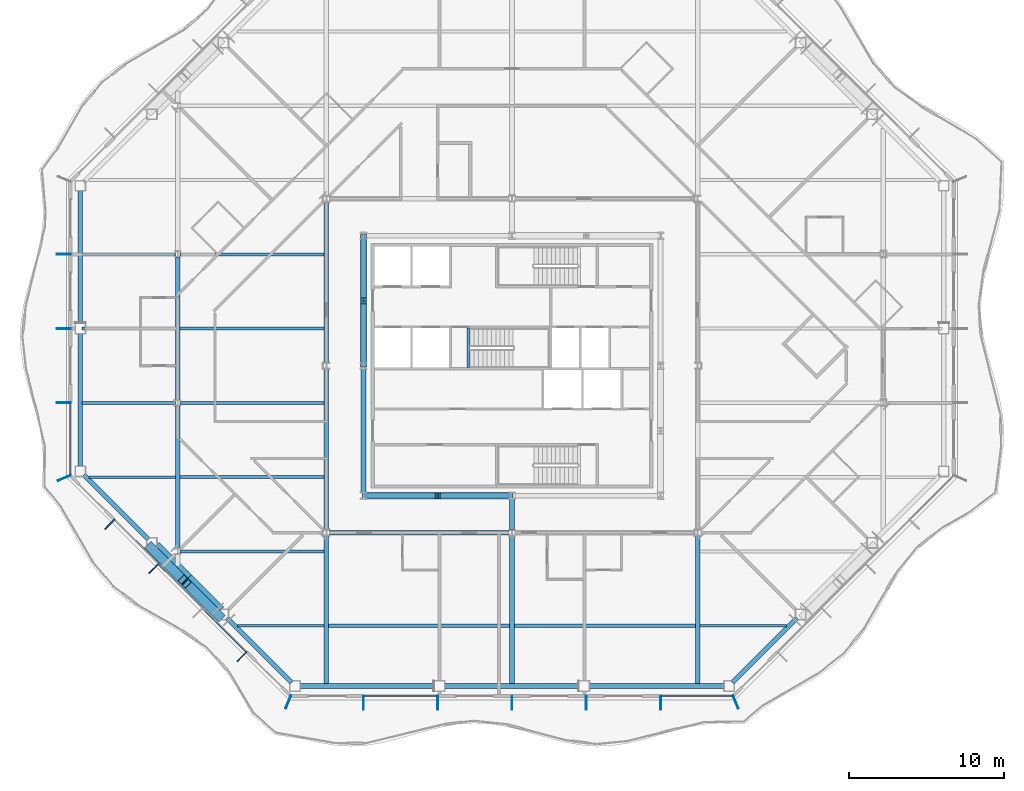
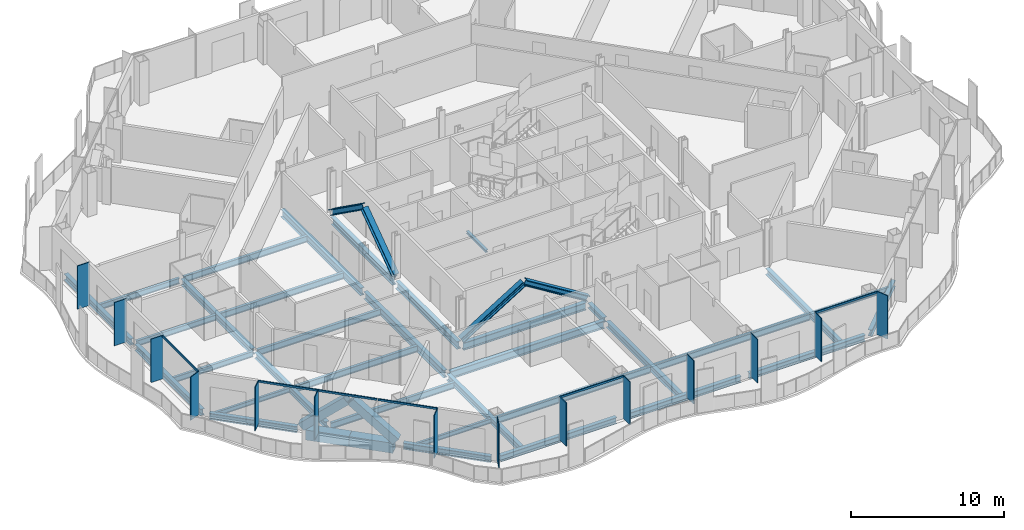
# One storey, part 3 of 21: 36 beams, 26 members, 4 elements without a shape of their own.
"""IFC4 building model written with IfcOpenShell, lengths in metres."""

import ifcopenshell
import ifcopenshell.guid

model = None  # the IFC model being written
_history = None  # IfcOwnerHistory: only IFC2X3 demands one
_inside = {}  # id of a spatial element -> (the spatial element, [elements in it])
_under = {}  # id of a project, library or spatial element -> (it, [spatial elements below it])
_declared = {}  # id of a project -> (the project, [libraries it declares])
_typed = {}  # id of a type object -> (the type object, [elements of that type])
_made_of = {}  # id of a material, layer set ... -> (it, [elements and type objects made of it])


def new_model(schema):
    """Start an empty IFC model of exactly this schema.

    Asked for "IFC4X3", IfcOpenShell would pick the latest addendum, in which some entities
    have other attributes; the version numbers below select the first issue.
    IFC2X3 requires an IfcOwnerHistory on every rooted entity: one is made here for all.
    """
    global model, _history
    if schema == "IFC4X3":
        model = ifcopenshell.file(schema_version=(4, 3, 0, 0))
    else:
        model = ifcopenshell.file(schema=schema)
    _inside.clear()
    _under.clear()
    _declared.clear()
    _typed.clear()
    _made_of.clear()
    _history = None
    if model.schema == "IFC2X3":
        org = make("IfcOrganization", Name="unknown")
        user = make(
            "IfcPersonAndOrganization",
            ThePerson=make("IfcPerson", FamilyName="unknown"),
            TheOrganization=org,
        )
        app = make(
            "IfcApplication",
            ApplicationDeveloper=org,
            Version="unknown",
            ApplicationFullName="unknown",
            ApplicationIdentifier="unknown",
        )
        _history = make(
            "IfcOwnerHistory",
            OwningUser=user,
            OwningApplication=app,
            ChangeAction="ADDED",
            CreationDate=0,
        )
    return model


def make(cls, **values):
    """One entity of the class cls with the attributes given. An attribute that is None is left unset."""
    return model.create_entity(
        cls, **{name: value for name, value in values.items() if value is not None}
    )


def rooted(cls, **values):
    """An entity with a GlobalId (a new one), such as an element, a storey or a relation."""
    return make(cls, GlobalId=ifcopenshell.guid.new(), OwnerHistory=_history, **values)


def si_unit(unit_type, name, prefix=None):
    """IfcSIUnit, for example si_unit("LENGTHUNIT", "METRE", prefix="MILLI")."""
    return make("IfcSIUnit", UnitType=unit_type, Prefix=prefix, Name=name)


def assignment(units):
    """IfcUnitAssignment: the units of a project."""
    return None if units is None else make("IfcUnitAssignment", Units=units)


def point(xyz):
    """IfcCartesianPoint."""
    return None if xyz is None else make("IfcCartesianPoint", Coordinates=xyz)


def direction(xyz):
    """IfcDirection."""
    return None if xyz is None else make("IfcDirection", DirectionRatios=xyz)


def frame(location, z_axis=None, x_axis=None):
    """IfcAxis2Placement3D, a coordinate frame: its origin and axes. An axis left out is left unset."""
    return make(
        "IfcAxis2Placement3D",
        Location=point(location),
        Axis=direction(z_axis),
        RefDirection=direction(x_axis),
    )


def frame_2d(location, x_axis=None):
    """IfcAxis2Placement2D, a coordinate frame in the plane: its origin and x axis."""
    return make(
        "IfcAxis2Placement2D", Location=point(location), RefDirection=direction(x_axis)
    )


def origin():
    """The frame at (0, 0, 0) with its axes left unset."""
    return frame((0.0, 0.0, 0.0))


def origin_2d():
    """The frame at (0, 0) in the plane with its x axis left unset."""
    return frame_2d((0.0, 0.0))


def place(relative_to, where):
    """IfcLocalPlacement: puts the frame where relative to a parent placement (None: the world)."""
    return make(
        "IfcLocalPlacement", PlacementRelTo=relative_to, RelativePlacement=where
    )


def context(
    kind, dimensions, precision=None, world=None, true_north=None, identifier=None
):
    """IfcGeometricRepresentationContext, for example the 3D "Model" context."""
    return make(
        "IfcGeometricRepresentationContext",
        ContextIdentifier=identifier,
        ContextType=kind,
        CoordinateSpaceDimension=dimensions,
        Precision=precision,
        WorldCoordinateSystem=world,
        TrueNorth=true_north,
    )


def subcontext(parent, identifier, kind, view, scale=None):
    """IfcGeometricRepresentationSubContext, for example "Body" below "Model"."""
    return make(
        "IfcGeometricRepresentationSubContext",
        ContextIdentifier=identifier,
        ContextType=kind,
        ParentContext=parent,
        TargetScale=scale,
        TargetView=view,
    )


def project(units=None, contexts=None):
    """IfcProject with its units and contexts."""
    return rooted(
        "IfcProject",
        Name="project",
        RepresentationContexts=contexts,
        UnitsInContext=assignment(units),
    )


def spatial(cls, under=None, at=None, **own):
    """A site, building, storey or space (cls), placed at a placement, below another one or the project."""
    s = rooted(cls, ObjectPlacement=at, **own)
    if under is not None:
        _under.setdefault(under.id(), (under, []))[1].append(s)
    return s


def profile(cls, at=None, kind="AREA", **sizes):
    """A parametric profile (cls). Its sizes go by their IFC names, for example OverallWidth=200.0."""
    return make(cls, ProfileType=kind, Position=at, **sizes)


def rectangle(**sizes):
    """IfcRectangleProfileDef."""
    return profile("IfcRectangleProfileDef", **sizes)


def hollow_rectangle(**sizes):
    """IfcRectangleHollowProfileDef."""
    return profile("IfcRectangleHollowProfileDef", **sizes)


def i_section(**sizes):
    """IfcIShapeProfileDef."""
    return profile("IfcIShapeProfileDef", **sizes)


def extrude(swept, where, along, depth):
    """IfcExtrudedAreaSolid: the profile swept, set in the frame where, extruded along a direction by depth."""
    return make(
        "IfcExtrudedAreaSolid",
        SweptArea=swept,
        Position=where,
        ExtrudedDirection=direction(along),
        Depth=depth,
    )


def shape(context_of_items, identifier, shape_type, items):
    """IfcShapeRepresentation: the items that make up one representation, for example the "Body"."""
    return make(
        "IfcShapeRepresentation",
        ContextOfItems=context_of_items,
        RepresentationIdentifier=identifier,
        RepresentationType=shape_type,
        Items=items,
    )


def material(Name=None, Category=None):
    """IfcMaterial."""
    return make("IfcMaterial", Name=Name, Category=Category)


def material_profile(
    of_material, cross_section, Name=None, Category=None, Priority=None
):
    """IfcMaterialProfile: a cross section and its material."""
    return make(
        "IfcMaterialProfile",
        Name=Name,
        Material=of_material,
        Profile=cross_section,
        Priority=Priority,
        Category=Category,
    )


def profile_set(profiles, Name=None, composite=None):
    """IfcMaterialProfileSet."""
    return make(
        "IfcMaterialProfileSet",
        Name=Name,
        MaterialProfiles=profiles,
        CompositeProfile=composite,
    )


def made_of(thing, what):
    """Note that an element or type object is made of a material, layer set ...; save() writes the relation."""
    if what is not None:
        _made_of.setdefault(what.id(), (what, []))[1].append(thing)
    return thing


def type_object(cls, material=None, **own):
    """A type object (cls), such as IfcWallType, which elements share."""
    return made_of(rooted(cls, **own), material)


def element(
    cls,
    number,
    at=None,
    inside=None,
    cuts=None,
    type_object=None,
    material=None,
    context=None,
    identifier="Body",
    shape_type=None,
    held_by="IfcProductDefinitionShape",
    body=None,
    shapes=None,
    **own,
):
    """One element of the class cls, such as IfcWall. Its Tag is "e" and its number.

    at: its placement. inside: the storey or other place that contains it. cuts: it is an
    opening in that element (IfcRelVoidsElement). A single representation is given by context,
    identifier, shape_type and body (its items); several are given by shapes. held_by: the class
    of the entity that holds the representations. save() writes the other relations.
    """
    e = rooted(cls, Tag="e%d" % number, ObjectPlacement=at, **own)
    if body is not None:
        shapes = [shape(context, identifier, shape_type, body)]
    if shapes is not None:
        e.Representation = make(held_by, Representations=shapes)
    if inside is not None:
        _inside.setdefault(inside.id(), (inside, []))[1].append(e)
    if cuts is not None:
        rooted(
            "IfcRelVoidsElement", RelatingBuildingElement=cuts, RelatedOpeningElement=e
        )
    if type_object is not None:
        _typed.setdefault(type_object.id(), (type_object, []))[1].append(e)
    return made_of(e, material)


def aggregate(whole, parts):
    """IfcRelAggregates: a whole, such as a stair, and the parts it consists of."""
    return rooted("IfcRelAggregates", RelatingObject=whole, RelatedObjects=parts)


def save(model, path):
    """Write the relations noted so far, then the file.

    IfcRelAggregates (storeys below a building ...), IfcRelContainedInSpatialStructure (elements
    in a storey), IfcRelDefinesByType, IfcRelAssociatesMaterial and IfcRelDeclares: one each for
    every whole, place, type object, material and project.
    """
    for whole, parts in _under.values():
        aggregate(whole, parts)
    for where, things in _inside.values():
        rooted(
            "IfcRelContainedInSpatialStructure",
            RelatedElements=things,
            RelatingStructure=where,
        )
    for kind, things in _typed.values():
        rooted("IfcRelDefinesByType", RelatedObjects=things, RelatingType=kind)
    for what, things in _made_of.values():
        rooted("IfcRelAssociatesMaterial", RelatedObjects=things, RelatingMaterial=what)
    for by, libraries in _declared.values():
        rooted("IfcRelDeclares", RelatingContext=by, RelatedDefinitions=libraries)
    model.write(path)


model = new_model("IFC4")

# Units and contexts
model_context = context("Model", 3, precision=1e-05, world=origin(), true_north=direction((0.0, 1.0)))
body_context = subcontext(model_context, "Body", "Model", "MODEL_VIEW")
ifc_project = project(units=[si_unit("LENGTHUNIT", "METRE"), si_unit("AREAUNIT", "SQUARE_METRE"), si_unit("VOLUMEUNIT", "CUBIC_METRE"), si_unit("PLANEANGLEUNIT", "RADIAN"), si_unit("MASSUNIT", "GRAM", prefix="KILO")], contexts=[model_context])

# Site, building, storey
site_placement = place(None, origin())
site = spatial("IfcSite", under=ifc_project, at=site_placement, CompositionType="ELEMENT")
building_placement = place(site_placement, origin())
building = spatial("IfcBuilding", under=site, at=building_placement, Name="Cairn Pilgrim Tower", CompositionType="ELEMENT")
storey_placement = place(building_placement, frame((0.0, 0.0, 132.60009765625)))
storey = spatial("IfcBuildingStorey", under=building, at=storey_placement, Name="L32", CompositionType="ELEMENT", Elevation=132.60009765625)

# Members
ifc_material_1 = material(Name="Structural steel S460M", Category="steel")
ifc_material_profile_1 = material_profile(ifc_material_1, hollow_rectangle(XDim=0.60009765625, YDim=0.60009765625, WallThickness=0.034912109375, at=origin_2d()), Name="BOX 600x600x35")
ifc_profile_set_1 = profile_set([ifc_material_profile_1], Name="Structural steel S460M")
member_type_1 = type_object("IfcMemberType", Name="BOX 600x600x35 BRACE", PredefinedType="BRACE", material=ifc_profile_set_1)
for number, where, z_axis, x_axis, name in (
    (1, (-16.213623046875, -9.288330078125, 0.14990234375), (0.535555986925, -0.535555986925, 0.652962150311), (0.707106781187, 0.707106781187, 0.0), "XB-SW2-SW3-1"),
    (2, (-11.6884765625, -13.813720703125, 0.14990234375), (-0.535512846393, 0.535573335815, 0.652983302476), (-0.707146713802, -0.707066846316, 0.0), "XB-SW2-SW3-2"),
):
    element("IfcMember", number, at=place(storey_placement, frame(where, z_axis=z_axis, x_axis=x_axis)), inside=storey, type_object=member_type_1, Name=name, PredefinedType="BRACE", context=body_context, shape_type="SweptSolid", body=[
        extrude(hollow_rectangle(XDim=0.60009765625, YDim=0.60009765625, WallThickness=0.034912109375, at=origin_2d()), origin(), (0.0, 0.0, 1.0), 4.0361328125),
    ])

# Beams
ifc_material_2 = material(Name="Structural steel S355J2", Category="steel")
ifc_material_profile_2 = material_profile(ifc_material_2, hollow_rectangle(XDim=0.699951171875, YDim=0.800048828125, WallThickness=0.0400390625, at=origin_2d()), Name="BOX 700x800x40")
ifc_profile_set_2 = profile_set([ifc_material_profile_2], Name="Structural steel S355J2")
beam_type_1 = type_object("IfcBeamType", Name="BOX 700x800x40 RING GIRDER", PredefinedType="SPANDREL", material=ifc_profile_set_2)
for number, where, z_axis, x_axis, name in (
    (3, (-15.85302734375, -9.274169921875, -0.550048828125), (0.707106781187, -0.707106781187, 0.0), (0.707106781187, 0.707106781187, 0.0), "RG2-SW2-SW3-1"),
    (4, (-13.763671875, -11.363525390625, -0.550048828125), (0.707106781187, -0.707106781187, 0.0), (0.707106781187, 0.707106781187, 0.0), "RG2-SW2-SW3-2"),
):
    element("IfcBeam", number, at=place(storey_placement, frame(where, z_axis=z_axis, x_axis=x_axis)), inside=storey, type_object=beam_type_1, Name=name, PredefinedType="SPANDREL", context=body_context, shape_type="SweptSolid", body=[
        extrude(hollow_rectangle(XDim=0.699951171875, YDim=0.800048828125, WallThickness=0.0400390625, at=origin_2d()), origin(), (0.0, 0.0, 1.0), 2.954833984375),
    ])

# Curtain wall, members
ifc_material_3 = material(Name="Aluminium alloy 6063-T6 bronze anodised with Bronze tinted laminated low-E glass 8+16+8.8", Category="aluminium")
curtain_wall_type_1 = type_object("IfcCurtainWallType", Name="TOWER STICK CURTAIN WALL NS", PredefinedType="NOTDEFINED", material=ifc_material_3)
curtain_wall_1_placement = place(storey_placement, origin())
curtain_wall_1 = element("IfcCurtainWall", 5, at=curtain_wall_1_placement, inside=storey, type_object=curtain_wall_type_1, Name="Tower Stick Curtain Wall Ns S", PredefinedType="NOTDEFINED")
ifc_material_4 = material(Name="Aluminium alloy 6063-T6 bronze anodised", Category="aluminium")
ifc_material_profile_3 = material_profile(ifc_material_4, rectangle(XDim=0.89990234375, YDim=0.06005859375, at=origin_2d()), Name="FIN MULLION 60x900 BRONZE")
ifc_profile_set_3 = profile_set([ifc_material_profile_3], Name="Aluminium alloy 6063-T6 bronze anodised")
member_type_2 = type_object("IfcMemberType", Name="FIN MULLION 60x900 BRONZE", PredefinedType="MULLION", material=ifc_profile_set_3)
member_1_placement = place(storey_placement, frame((-7.257080078125, -19.338134765625, 0.0), z_axis=(0.0, 0.0, 1.0), x_axis=(-0.382683432365, -0.923879532511, 0.0)))
member_1 = element("IfcMember", 6, at=member_1_placement, type_object=member_type_2, Name="Fin mullion S1", PredefinedType="MULLION", context=body_context, shape_type="SweptSolid", body=[
    extrude(rectangle(XDim=0.89990234375, YDim=0.06005859375, at=origin_2d()), origin(), (0.0, 0.0, 1.0), 3.449951171875),
])
member_2_placement = place(storey_placement, frame((-2.39990234375, -19.3701171875, 0.0), z_axis=(0.0, 0.0, 1.0), x_axis=(0.0, -1.0, 0.0)))
member_2 = element("IfcMember", 7, at=member_2_placement, type_object=member_type_2, Name="Fin mullion S2", PredefinedType="MULLION", context=body_context, shape_type="SweptSolid", body=[
    extrude(rectangle(XDim=0.89990234375, YDim=0.06005859375, at=origin_2d()), origin(), (0.0, 0.0, 1.0), 3.449951171875),
])
member_3_placement = place(storey_placement, frame((2.39990234375, -19.3701171875, 0.0), z_axis=(0.0, 0.0, 1.0), x_axis=(0.0, -1.0, 0.0)))
member_3 = element("IfcMember", 8, at=member_3_placement, type_object=member_type_2, Name="Fin mullion S3", PredefinedType="MULLION", context=body_context, shape_type="SweptSolid", body=[
    extrude(rectangle(XDim=0.89990234375, YDim=0.06005859375, at=origin_2d()), origin(), (0.0, 0.0, 1.0), 3.449951171875),
])
member_4_placement = place(storey_placement, frame((7.199951171875, -19.3701171875, 0.0), z_axis=(0.0, 0.0, 1.0), x_axis=(0.0, -1.0, 0.0)))
member_4 = element("IfcMember", 9, at=member_4_placement, type_object=member_type_2, Name="Fin mullion S4", PredefinedType="MULLION", context=body_context, shape_type="SweptSolid", body=[
    extrude(rectangle(XDim=0.89990234375, YDim=0.06005859375, at=origin_2d()), origin(), (0.0, 0.0, 1.0), 3.449951171875),
])
member_5_placement = place(storey_placement, frame((12.0, -19.3701171875, 0.0), z_axis=(0.0, 0.0, 1.0), x_axis=(0.0, -1.0, 0.0)))
member_5 = element("IfcMember", 10, at=member_5_placement, type_object=member_type_2, Name="Fin mullion S5", PredefinedType="MULLION", context=body_context, shape_type="SweptSolid", body=[
    extrude(rectangle(XDim=0.89990234375, YDim=0.06005859375, at=origin_2d()), origin(), (0.0, 0.0, 1.0), 3.449951171875),
])
member_6_placement = place(storey_placement, frame((16.800048828125, -19.3701171875, 0.0), z_axis=(0.0, 0.0, 1.0), x_axis=(0.0, -1.0, 0.0)))
member_6 = element("IfcMember", 11, at=member_6_placement, type_object=member_type_2, Name="Fin mullion S6", PredefinedType="MULLION", context=body_context, shape_type="SweptSolid", body=[
    extrude(rectangle(XDim=0.89990234375, YDim=0.06005859375, at=origin_2d()), origin(), (0.0, 0.0, 1.0), 3.449951171875),
])

# Curtain wall, member
curtain_wall_type_2 = type_object("IfcCurtainWallType", Name="CHAMFER CORNER CURTAIN WALL", PredefinedType="NOTDEFINED", material=ifc_material_3)
curtain_wall_2_placement = place(storey_placement, origin())
curtain_wall_2 = element("IfcCurtainWall", 12, at=curtain_wall_2_placement, inside=storey, type_object=curtain_wall_type_2, Name="Chamfer Corner Curtain Wall SE", PredefinedType="NOTDEFINED")
member_7_placement = place(storey_placement, frame((21.6572265625, -19.338134765625, 0.0), z_axis=(0.0, 0.0, 1.0), x_axis=(0.382683432365, -0.923879532511, 0.0)))
member_7 = element("IfcMember", 13, at=member_7_placement, type_object=member_type_2, Name="Fin mullion SE1", PredefinedType="MULLION", context=body_context, shape_type="SweptSolid", body=[
    extrude(rectangle(XDim=0.89990234375, YDim=0.06005859375, at=origin_2d()), origin(), (0.0, 0.0, 1.0), 3.449951171875),
])
aggregate(curtain_wall_2, [member_7])

# Curtain wall, members
curtain_wall_type_3 = type_object("IfcCurtainWallType", Name="TOWER STICK CURTAIN WALL EW", PredefinedType="NOTDEFINED", material=ifc_material_3)
curtain_wall_3_placement = place(storey_placement, origin())
curtain_wall_3 = element("IfcCurtainWall", 14, at=curtain_wall_3_placement, inside=storey, type_object=curtain_wall_type_3, Name="Tower Stick Curtain Wall Ew W", PredefinedType="NOTDEFINED")
member_8_placement = place(storey_placement, frame((-21.77001953125, 9.60009765625, 0.0), z_axis=(0.0, 0.0, 1.0), x_axis=(-1.0, 0.0, 0.0)))
member_8 = element("IfcMember", 15, at=member_8_placement, type_object=member_type_2, Name="Fin mullion W2", PredefinedType="MULLION", context=body_context, shape_type="SweptSolid", body=[
    extrude(rectangle(XDim=0.89990234375, YDim=0.06005859375, at=origin_2d()), origin(), (0.0, 0.0, 1.0), 3.449951171875),
])
member_9_placement = place(storey_placement, frame((-21.77001953125, 4.800048828125, 0.0), z_axis=(0.0, 0.0, 1.0), x_axis=(-1.0, 0.0, 0.0)))
member_9 = element("IfcMember", 16, at=member_9_placement, type_object=member_type_2, Name="Fin mullion W3", PredefinedType="MULLION", context=body_context, shape_type="SweptSolid", body=[
    extrude(rectangle(XDim=0.89990234375, YDim=0.06005859375, at=origin_2d()), origin(), (0.0, 0.0, 1.0), 3.449951171875),
])
member_10_placement = place(storey_placement, frame((-21.77001953125, 0.0, 0.0), z_axis=(0.0, 0.0, 1.0), x_axis=(-1.0, 0.0, 0.0)))
member_10 = element("IfcMember", 17, at=member_10_placement, type_object=member_type_2, Name="Fin mullion W4", PredefinedType="MULLION", context=body_context, shape_type="SweptSolid", body=[
    extrude(rectangle(XDim=0.89990234375, YDim=0.06005859375, at=origin_2d()), origin(), (0.0, 0.0, 1.0), 3.449951171875),
])

curtain_wall_4_placement = place(storey_placement, origin())
curtain_wall_4 = element("IfcCurtainWall", 18, at=curtain_wall_4_placement, inside=storey, type_object=curtain_wall_type_2, Name="Chamfer Corner Curtain Wall SW", PredefinedType="NOTDEFINED")
member_11_placement = place(storey_placement, frame((-21.738037109375, -4.857177734375, 0.0), z_axis=(0.0, 0.0, 1.0), x_axis=(-0.923879532511, -0.382683432365, 0.0)))
member_11 = element("IfcMember", 19, at=member_11_placement, type_object=member_type_2, Name="Fin mullion SW1", PredefinedType="MULLION", context=body_context, shape_type="SweptSolid", body=[
    extrude(rectangle(XDim=0.89990234375, YDim=0.06005859375, at=origin_2d()), origin(), (0.0, 0.0, 1.0), 3.449951171875),
])
member_12_placement = place(storey_placement, frame((-18.79638671875, -7.84423828125, 0.0), z_axis=(0.0, 0.0, 1.0), x_axis=(-0.707106781187, -0.707106781187, 0.0)))
member_12 = element("IfcMember", 20, at=member_12_placement, type_object=member_type_2, Name="Fin mullion SW2", PredefinedType="MULLION", context=body_context, shape_type="SweptSolid", body=[
    extrude(rectangle(XDim=0.89990234375, YDim=0.06005859375, at=origin_2d()), origin(), (0.0, 0.0, 1.0), 3.449951171875),
])
member_13_placement = place(storey_placement, frame((-15.945556640625, -10.69482421875, 0.0), z_axis=(0.0, 0.0, 1.0), x_axis=(-0.707106781187, -0.707106781187, 0.0)))
member_13 = element("IfcMember", 21, at=member_13_placement, type_object=member_type_2, Name="Fin mullion SW3", PredefinedType="MULLION", context=body_context, shape_type="SweptSolid", body=[
    extrude(rectangle(XDim=0.89990234375, YDim=0.06005859375, at=origin_2d()), origin(), (0.0, 0.0, 1.0), 3.449951171875),
])
member_14_placement = place(storey_placement, frame((-10.244140625, -16.396240234375, 0.0), z_axis=(0.0, 0.0, 1.0), x_axis=(-0.707106781187, -0.707106781187, 0.0)))
member_14 = element("IfcMember", 22, at=member_14_placement, type_object=member_type_2, Name="Fin mullion SW5", PredefinedType="MULLION", context=body_context, shape_type="SweptSolid", body=[
    extrude(rectangle(XDim=0.89990234375, YDim=0.06005859375, at=origin_2d()), origin(), (0.0, 0.0, 1.0), 3.449951171875),
])

# Members
ifc_material_profile_4 = material_profile(ifc_material_1, i_section(OverallWidth=0.408935546875, OverallDepth=0.425048828125, WebThickness=0.03271484375, FlangeThickness=0.052490234375, FilletRadius=0.014892578125, at=origin_2d()), Name="HD 400x421")
ifc_profile_set_4 = profile_set([ifc_material_profile_4], Name="Structural steel S460M")
member_type_3 = type_object("IfcMemberType", Name="HD 400x421 BRACE", PredefinedType="BRACE", material=ifc_profile_set_4)
member_15_placement = place(storey_placement, frame((-2.357666015625, -6.0, 0.099853515625), z_axis=(0.851063308605, 0.0, 0.525063086444), x_axis=(0.0, 1.0, 0.0)))
element("IfcMember", 23, at=member_15_placement, inside=storey, type_object=member_type_3, Name="KB-1A", PredefinedType="BRACE", context=body_context, shape_type="SweptSolid", body=[
    extrude(i_section(OverallWidth=0.408935546875, OverallDepth=0.425048828125, WebThickness=0.03271484375, FlangeThickness=0.052490234375, FilletRadius=0.014892578125, at=origin_2d()), origin(), (0.0, 0.0, 1.0), 5.527587890625),
])
member_16_placement = place(storey_placement, frame((7.15771484375, -6.0, 0.099853515625), z_axis=(-0.851075484508, 0.0, 0.525043350277), x_axis=(0.0, -1.0, 0.0)))
element("IfcMember", 24, at=member_16_placement, inside=storey, type_object=member_type_3, Name="KB-1B", PredefinedType="BRACE", context=body_context, shape_type="SweptSolid", body=[
    extrude(i_section(OverallWidth=0.408935546875, OverallDepth=0.425048828125, WebThickness=0.03271484375, FlangeThickness=0.052490234375, FilletRadius=0.014892578125, at=origin_2d()), origin(), (0.0, 0.0, 1.0), 5.52783203125),
])
for number, where, z_axis, x_axis, name in (
    (25, (-2.39990234375, 10.757568359375, 0.099853515625), (0.0, -0.814281054922, 0.58047081201), (1.0, 0.0, 0.0), "KB-4A"),
    (26, (-2.39990234375, 2.4423828125, 0.099853515625), (0.0, 0.814281054922, 0.58047081201), (-1.0, 0.0, 0.0), "KB-4B"),
):
    element("IfcMember", number, at=place(storey_placement, frame(where, z_axis=z_axis, x_axis=x_axis)), inside=storey, type_object=member_type_3, Name=name, PredefinedType="BRACE", context=body_context, shape_type="SweptSolid", body=[
        extrude(i_section(OverallWidth=0.408935546875, OverallDepth=0.425048828125, WebThickness=0.03271484375, FlangeThickness=0.052490234375, FilletRadius=0.014892578125, at=origin_2d()), origin(), (0.0, 0.0, 1.0), 4.99755859375),
    ])

# Beams
ifc_material_profile_5 = material_profile(ifc_material_2, i_section(OverallWidth=0.300048828125, OverallDepth=0.39990234375, WebThickness=0.013427734375, FlangeThickness=0.02392578125, FilletRadius=0.027099609375, at=origin_2d()), Name="HEB 400")
ifc_profile_set_5 = profile_set([ifc_material_profile_5], Name="Structural steel S355J2")
beam_type_2 = type_object("IfcBeamType", Name="HEB 400 GIRDER", PredefinedType="BEAM", material=ifc_profile_set_5)
beam_1_placement = place(storey_placement, frame((7.199951171875, -8.195556640625, -0.35009765625), z_axis=(0.0, 1.0, 0.0), x_axis=(-1.0, 0.0, 0.0)))
element("IfcBeam", 27, at=beam_1_placement, inside=storey, type_object=beam_type_2, Name="PG3-E1", PredefinedType="BEAM", context=body_context, shape_type="SweptSolid", body=[
    extrude(i_section(OverallWidth=0.300048828125, OverallDepth=0.39990234375, WebThickness=0.013427734375, FlangeThickness=0.02392578125, FilletRadius=0.027099609375, at=origin_2d()), origin(), (0.0, 0.0, 1.0), 1.983642578125),
])
ifc_material_profile_6 = material_profile(ifc_material_2, i_section(OverallWidth=0.300048828125, OverallDepth=0.5, WebThickness=0.014404296875, FlangeThickness=0.028076171875, FilletRadius=0.027099609375, at=origin_2d()), Name="HEB 500")
ifc_profile_set_6 = profile_set([ifc_material_profile_6], Name="Structural steel S355J2")
beam_type_3 = type_object("IfcBeamType", Name="HEB 500 GIRDER", PredefinedType="BEAM", material=ifc_profile_set_6)
for number, where, z_axis, x_axis, name in (
    (28, (-14.39990234375, -9.400390625, -0.400146484375), (0.0, 1.0, 0.0), (-1.0, 0.0, 0.0), "PG1-1"),
    (29, (-14.39990234375, 0.199462890625, -0.400146484375), (0.0, 1.0, 0.0), (-1.0, 0.0, 0.0), "PG1-2"),
):
    element("IfcBeam", number, at=place(storey_placement, frame(where, z_axis=z_axis, x_axis=x_axis)), inside=storey, type_object=beam_type_3, Name=name, PredefinedType="BEAM", context=body_context, shape_type="SweptSolid", body=[
        extrude(i_section(OverallWidth=0.300048828125, OverallDepth=0.5, WebThickness=0.014404296875, FlangeThickness=0.028076171875, FilletRadius=0.027099609375, at=origin_2d()), origin(), (0.0, 0.0, 1.0), 9.200927734375),
    ])
for number, where, z_axis, x_axis, name in (
    (30, (-4.800048828125, -18.179931640625, -0.400146484375), (0.0, 1.0, 0.0), (-1.0, 0.0, 0.0), "PG2-1"),
    (31, (7.199951171875, -18.179931640625, -0.400146484375), (0.0, 1.0, 0.0), (-1.0, 0.0, 0.0), "PG3-1"),
    (32, (19.199951171875, -18.179931640625, -0.400146484375), (0.0, 1.0, 0.0), (-1.0, 0.0, 0.0), "PG4-1"),
):
    element("IfcBeam", number, at=place(storey_placement, frame(where, z_axis=z_axis, x_axis=x_axis)), inside=storey, type_object=beam_type_3, Name=name, PredefinedType="BEAM", context=body_context, shape_type="SweptSolid", body=[
        extrude(i_section(OverallWidth=0.300048828125, OverallDepth=0.5, WebThickness=0.014404296875, FlangeThickness=0.028076171875, FilletRadius=0.027099609375, at=origin_2d()), origin(), (0.0, 0.0, 1.0), 9.575439453125),
    ])
ifc_material_profile_7 = material_profile(ifc_material_2, i_section(OverallWidth=0.300048828125, OverallDepth=0.5, WebThickness=0.014404296875, FlangeThickness=0.028076171875, FilletRadius=0.027099609375, at=origin_2d()), Name="HEB 500")
ifc_profile_set_7 = profile_set([ifc_material_profile_7], Name="Structural steel S355J2")
beam_type_4 = type_object("IfcBeamType", Name="HEB 500 RING GIRDER", PredefinedType="SPANDREL", material=ifc_profile_set_7)
for number, where, z_axis, x_axis, name in (
    (33, (-6.51220703125, -18.300048828125, -0.400146484375), (1.0, 0.0, 0.0), (0.0, 1.0, 0.0), "RG2-S1-S2"),
    (34, (2.83935546875, -18.300048828125, -0.400146484375), (1.0, 0.0, 0.0), (0.0, 1.0, 0.0), "RG2-S2-S3"),
    (35, (12.190673828125, -18.300048828125, -0.400146484375), (1.0, 0.0, 0.0), (0.0, 1.0, 0.0), "RG2-S3-SE1"),
):
    element("IfcBeam", number, at=place(storey_placement, frame(where, z_axis=z_axis, x_axis=x_axis)), inside=storey, type_object=beam_type_4, Name=name, PredefinedType="SPANDREL", context=body_context, shape_type="SweptSolid", body=[
        extrude(i_section(OverallWidth=0.300048828125, OverallDepth=0.5, WebThickness=0.014404296875, FlangeThickness=0.028076171875, FilletRadius=0.027099609375, at=origin_2d()), origin(), (0.0, 0.0, 1.0), 8.721435546875),
    ])
beam_2_placement = place(storey_placement, frame((21.449951171875, -18.077392578125, -0.400146484375), z_axis=(0.707086125179, 0.707127436591, 0.0), x_axis=(-0.707127436591, 0.707086125179, 0.0)))
element("IfcBeam", 36, at=beam_2_placement, inside=storey, type_object=beam_type_4, Name="RG2-SE1-SE2", PredefinedType="SPANDREL", context=body_context, shape_type="SweptSolid", body=[
    extrude(i_section(OverallWidth=0.300048828125, OverallDepth=0.5, WebThickness=0.014404296875, FlangeThickness=0.028076171875, FilletRadius=0.027099609375, at=origin_2d()), origin(), (0.0, 0.0, 1.0), 5.90966796875),
])
beam_3_placement = place(storey_placement, frame((-20.699951171875, 13.712158203125, -0.400146484375), z_axis=(0.0, -1.0, 0.0), x_axis=(1.0, 0.0, 0.0)))
element("IfcBeam", 37, at=beam_3_placement, inside=storey, type_object=beam_type_4, Name="RG2-W1-W2", PredefinedType="SPANDREL", context=body_context, shape_type="SweptSolid", body=[
    extrude(i_section(OverallWidth=0.300048828125, OverallDepth=0.5, WebThickness=0.014404296875, FlangeThickness=0.028076171875, FilletRadius=0.027099609375, at=origin_2d()), origin(), (0.0, 0.0, 1.0), 8.59716796875),
])
beam_4_placement = place(storey_placement, frame((-20.699951171875, 4.485107421875, -0.400146484375), z_axis=(0.0, -1.0, 0.0), x_axis=(1.0, 0.0, 0.0)))
element("IfcBeam", 38, at=beam_4_placement, inside=storey, type_object=beam_type_4, Name="RG2-W2-SW1", PredefinedType="SPANDREL", context=body_context, shape_type="SweptSolid", body=[
    extrude(i_section(OverallWidth=0.300048828125, OverallDepth=0.5, WebThickness=0.014404296875, FlangeThickness=0.028076171875, FilletRadius=0.027099609375, at=origin_2d()), origin(), (0.0, 0.0, 1.0), 8.597412109375),
])
beam_5_placement = place(storey_placement, frame((-20.477294921875, -4.64990234375, -0.400146484375), z_axis=(0.707106781187, -0.707106781187, 0.0), x_axis=(0.707106781187, 0.707106781187, 0.0)))
element("IfcBeam", 39, at=beam_5_placement, inside=storey, type_object=beam_type_4, Name="RG2-SW1-SW2", PredefinedType="SPANDREL", context=body_context, shape_type="SweptSolid", body=[
    extrude(i_section(OverallWidth=0.300048828125, OverallDepth=0.5, WebThickness=0.014404296875, FlangeThickness=0.028076171875, FilletRadius=0.027099609375, at=origin_2d()), origin(), (0.0, 0.0, 1.0), 5.90966796875),
])
beam_6_placement = place(storey_placement, frame((-11.228759765625, -13.8984375, -0.400146484375), z_axis=(0.707106781187, -0.707106781187, 0.0), x_axis=(0.707106781187, 0.707106781187, 0.0)))
element("IfcBeam", 40, at=beam_6_placement, inside=storey, type_object=beam_type_4, Name="RG2-SW3-S1", PredefinedType="SPANDREL", context=body_context, shape_type="SweptSolid", body=[
    extrude(i_section(OverallWidth=0.300048828125, OverallDepth=0.5, WebThickness=0.014404296875, FlangeThickness=0.028076171875, FilletRadius=0.027099609375, at=origin_2d()), origin(), (0.0, 0.0, 1.0), 5.909912109375),
])
ifc_material_profile_8 = material_profile(ifc_material_2, i_section(OverallWidth=0.300048828125, OverallDepth=0.60009765625, WebThickness=0.015380859375, FlangeThickness=0.030029296875, FilletRadius=0.027099609375, at=origin_2d()), Name="HEB 600")
ifc_profile_set_8 = profile_set([ifc_material_profile_8], Name="Structural steel S355J2")
beam_type_5 = type_object("IfcBeamType", Name="HEB 600 CORE BEAM", PredefinedType="BEAM", material=ifc_profile_set_8)
beam_7_placement = place(storey_placement, frame((-2.209228515625, -6.0, -0.4501953125), z_axis=(1.0, 0.0, 0.0), x_axis=(0.0, 1.0, 0.0)))
element("IfcBeam", 41, at=beam_7_placement, inside=storey, type_object=beam_type_5, Name="CB-1", PredefinedType="BEAM", context=body_context, shape_type="SweptSolid", body=[
    extrude(i_section(OverallWidth=0.300048828125, OverallDepth=0.60009765625, WebThickness=0.015380859375, FlangeThickness=0.030029296875, FilletRadius=0.027099609375, at=origin_2d()), origin(), (0.0, 0.0, 1.0), 9.218505859375),
])
for number, where, z_axis, x_axis, name in (
    (42, (-2.39990234375, 10.609130859375, -0.4501953125), (0.0, -1.0, 0.0), (1.0, 0.0, 0.0), "CB-7"),
    (43, (-2.39990234375, 2.209228515625, -0.4501953125), (0.0, -1.0, 0.0), (1.0, 0.0, 0.0), "CB-8"),
):
    element("IfcBeam", number, at=place(storey_placement, frame(where, z_axis=z_axis, x_axis=x_axis)), inside=storey, type_object=beam_type_5, Name=name, PredefinedType="BEAM", context=body_context, shape_type="SweptSolid", body=[
        extrude(i_section(OverallWidth=0.300048828125, OverallDepth=0.60009765625, WebThickness=0.015380859375, FlangeThickness=0.030029296875, FilletRadius=0.027099609375, at=origin_2d()), origin(), (0.0, 0.0, 1.0), 8.018310546875),
    ])
ifc_material_profile_9 = material_profile(ifc_material_2, i_section(OverallWidth=0.300048828125, OverallDepth=0.60009765625, WebThickness=0.015380859375, FlangeThickness=0.030029296875, FilletRadius=0.027099609375, at=origin_2d()), Name="HEB 600")
ifc_profile_set_9 = profile_set([ifc_material_profile_9], Name="Structural steel S355J2")
beam_type_6 = type_object("IfcBeamType", Name="HEB 600 GIRDER", PredefinedType="BEAM", material=ifc_profile_set_9)
for number, where, z_axis, x_axis, name in (
    (44, (-4.800048828125, -8.195556640625, -0.4501953125), (0.0, 1.0, 0.0), (-1.0, 0.0, 0.0), "PG2-2"),
    (45, (-4.800048828125, 2.6044921875, -0.4501953125), (0.0, 1.0, 0.0), (-1.0, 0.0, 0.0), "PG2-3"),
):
    element("IfcBeam", number, at=place(storey_placement, frame(where, z_axis=z_axis, x_axis=x_axis)), inside=storey, type_object=beam_type_6, Name=name, PredefinedType="BEAM", context=body_context, shape_type="SweptSolid", body=[
        extrude(i_section(OverallWidth=0.300048828125, OverallDepth=0.60009765625, WebThickness=0.015380859375, FlangeThickness=0.030029296875, FilletRadius=0.027099609375, at=origin_2d()), origin(), (0.0, 0.0, 1.0), 10.39111328125),
    ])
ifc_material_profile_10 = material_profile(ifc_material_2, i_section(OverallWidth=0.300048828125, OverallDepth=0.60009765625, WebThickness=0.015380859375, FlangeThickness=0.030029296875, FilletRadius=0.027099609375, at=origin_2d()), Name="HEB 600")
ifc_profile_set_10 = profile_set([ifc_material_profile_10], Name="Structural steel S355J2")
beam_type_7 = type_object("IfcBeamType", Name="HEB 600 INNER GIRDER", PredefinedType="BEAM", material=ifc_profile_set_10)
beam_8_placement = place(storey_placement, frame((-4.595458984375, -8.39990234375, -0.4501953125), z_axis=(1.0, 0.0, 0.0), x_axis=(0.0, 1.0, 0.0)))
element("IfcBeam", 46, at=beam_8_placement, inside=storey, type_object=beam_type_7, Name="IG1-1", PredefinedType="BEAM", context=body_context, shape_type="SweptSolid", body=[
    extrude(i_section(OverallWidth=0.300048828125, OverallDepth=0.60009765625, WebThickness=0.015380859375, FlangeThickness=0.030029296875, FilletRadius=0.027099609375, at=origin_2d()), origin(), (0.0, 0.0, 1.0), 11.591064453125),
])
ifc_material_profile_11 = material_profile(ifc_material_2, i_section(OverallWidth=0.169921875, OverallDepth=0.360107421875, WebThickness=0.008056640625, FlangeThickness=0.0126953125, FilletRadius=0.01806640625, at=origin_2d()), Name="IPE 360")
ifc_profile_set_11 = profile_set([ifc_material_profile_11], Name="Structural steel S355J2")
beam_type_8 = type_object("IfcBeamType", Name="IPE 360 SECONDARY BEAM", PredefinedType="JOIST", material=ifc_profile_set_11)
beam_9_placement = place(storey_placement, frame((-10.545166015625, -14.39990234375, -0.330078125), z_axis=(1.0, 0.0, 0.0), x_axis=(0.0, 1.0, 0.0)))
element("IfcBeam", 47, at=beam_9_placement, inside=storey, type_object=beam_type_8, Name="SB1-1", PredefinedType="JOIST", context=body_context, shape_type="SweptSolid", body=[
    extrude(i_section(OverallWidth=0.169921875, OverallDepth=0.360107421875, WebThickness=0.008056640625, FlangeThickness=0.0126953125, FilletRadius=0.01806640625, at=origin_2d()), origin(), (0.0, 0.0, 1.0), 5.59521484375),
])
for number, where, z_axis, x_axis, name in (
    (48, (19.35009765625, -14.39990234375, -0.330078125), (1.0, 0.0, 0.0), (0.0, 1.0, 0.0), "SB1-4"),
    (49, (-20.14501953125, -4.800048828125, -0.330078125), (1.0, 0.0, 0.0), (0.0, 1.0, 0.0), "SB3-1"),
):
    element("IfcBeam", number, at=place(storey_placement, frame(where, z_axis=z_axis, x_axis=x_axis)), inside=storey, type_object=beam_type_8, Name=name, PredefinedType="JOIST", context=body_context, shape_type="SweptSolid", body=[
        extrude(i_section(OverallWidth=0.169921875, OverallDepth=0.360107421875, WebThickness=0.008056640625, FlangeThickness=0.0126953125, FilletRadius=0.01806640625, at=origin_2d()), origin(), (0.0, 0.0, 1.0), 5.594970703125),
    ])
ifc_material_profile_12 = material_profile(ifc_material_2, i_section(OverallWidth=0.18994140625, OverallDepth=0.449951171875, WebThickness=0.009521484375, FlangeThickness=0.0146484375, FilletRadius=0.02099609375, at=origin_2d()), Name="IPE 450")
ifc_profile_set_12 = profile_set([ifc_material_profile_12], Name="Structural steel S355J2")
beam_type_9 = type_object("IfcBeamType", Name="IPE 450 SECONDARY BEAM", PredefinedType="JOIST", material=ifc_profile_set_12)
for number, where, z_axis, x_axis, name in (
    (50, (-20.580078125, 0.0, -0.375), (1.0, 0.0, 0.0), (0.0, 1.0, 0.0), "SB4-1"),
    (51, (-20.580078125, 4.800048828125, -0.375), (1.0, 0.0, 0.0), (0.0, 1.0, 0.0), "SB5-1"),
    (52, (-20.580078125, 9.60009765625, -0.375), (1.0, 0.0, 0.0), (0.0, 1.0, 0.0), "SB6-1"),
):
    element("IfcBeam", number, at=place(storey_placement, frame(where, z_axis=z_axis, x_axis=x_axis)), inside=storey, type_object=beam_type_9, Name=name, PredefinedType="JOIST", context=body_context, shape_type="SweptSolid", body=[
        extrude(i_section(OverallWidth=0.18994140625, OverallDepth=0.449951171875, WebThickness=0.009521484375, FlangeThickness=0.0146484375, FilletRadius=0.02099609375, at=origin_2d()), origin(), (0.0, 0.0, 1.0), 6.030029296875),
    ])
ifc_material_profile_13 = material_profile(ifc_material_2, i_section(OverallWidth=0.199951171875, OverallDepth=0.5, WebThickness=0.01025390625, FlangeThickness=0.01611328125, FilletRadius=0.02099609375, at=origin_2d()), Name="IPE 500")
ifc_profile_set_13 = profile_set([ifc_material_profile_13], Name="Structural steel S355J2")
beam_type_10 = type_object("IfcBeamType", Name="IPE 500 SECONDARY BEAM", PredefinedType="JOIST", material=ifc_profile_set_13)
for number, where, z_axis, x_axis, name in (
    (53, (-14.25, -9.60009765625, -0.400146484375), (1.0, 0.0, 0.0), (0.0, 1.0, 0.0), "SB2-1"),
    (54, (-14.25, -4.800048828125, -0.400146484375), (1.0, 0.0, 0.0), (0.0, 1.0, 0.0), "SB3-2"),
    (55, (-14.25, 0.0, -0.400146484375), (1.0, 0.0, 0.0), (0.0, 1.0, 0.0), "SB4-2"),
    (56, (-14.25, 4.800048828125, -0.400146484375), (1.0, 0.0, 0.0), (0.0, 1.0, 0.0), "SB5-2"),
    (57, (-14.25, 9.60009765625, -0.400146484375), (1.0, 0.0, 0.0), (0.0, 1.0, 0.0), "SB6-2"),
):
    element("IfcBeam", number, at=place(storey_placement, frame(where, z_axis=z_axis, x_axis=x_axis)), inside=storey, type_object=beam_type_10, Name=name, PredefinedType="JOIST", context=body_context, shape_type="SweptSolid", body=[
        extrude(i_section(OverallWidth=0.199951171875, OverallDepth=0.5, WebThickness=0.01025390625, FlangeThickness=0.01611328125, FilletRadius=0.02099609375, at=origin_2d()), origin(), (0.0, 0.0, 1.0), 9.300048828125),
    ])
ifc_material_profile_14 = material_profile(ifc_material_2, i_section(OverallWidth=0.2099609375, OverallDepth=0.550048828125, WebThickness=0.010986328125, FlangeThickness=0.01708984375, FilletRadius=0.02392578125, at=origin_2d()), Name="IPE 550")
ifc_profile_set_14 = profile_set([ifc_material_profile_14], Name="Structural steel S355J2")
beam_type_11 = type_object("IfcBeamType", Name="IPE 550 SECONDARY BEAM", PredefinedType="JOIST", material=ifc_profile_set_14)
for number, where, z_axis, x_axis, name in (
    (58, (-4.64990234375, -14.39990234375, -0.425048828125), (1.0, 0.0, 0.0), (0.0, 1.0, 0.0), "SB1-2"),
    (59, (7.35009765625, -14.39990234375, -0.425048828125), (1.0, 0.0, 0.0), (0.0, 1.0, 0.0), "SB1-3"),
):
    element("IfcBeam", number, at=place(storey_placement, frame(where, z_axis=z_axis, x_axis=x_axis)), inside=storey, type_object=beam_type_11, Name=name, PredefinedType="JOIST", context=body_context, shape_type="SweptSolid", body=[
        extrude(i_section(OverallWidth=0.2099609375, OverallDepth=0.550048828125, WebThickness=0.010986328125, FlangeThickness=0.01708984375, FilletRadius=0.02392578125, at=origin_2d()), origin(), (0.0, 0.0, 1.0), 11.699951171875),
    ])
ifc_material_profile_15 = material_profile(ifc_material_2, i_section(OverallWidth=0.199951171875, OverallDepth=0.199951171875, WebThickness=0.009033203125, FlangeThickness=0.014892578125, FilletRadius=0.01806640625, at=origin_2d()), Name="HE 200 B")
ifc_profile_set_15 = profile_set([ifc_material_profile_15], Name="Structural steel S355J2")
beam_type_12 = type_object("IfcBeamType", Name="STAIR LANDING BEAM HE 200 B", PredefinedType="BEAM", material=ifc_profile_set_15)
beam_10_placement = place(storey_placement, frame((4.37548828125, 2.27490234375, -0.25), z_axis=(0.0, 1.0, 0.0), x_axis=(-1.0, 0.0, 0.0)))
element("IfcBeam", 60, at=beam_10_placement, inside=storey, type_object=beam_type_12, Name="STAIR LANDING BEAM LD-HE200B", PredefinedType="BEAM", context=body_context, shape_type="SweptSolid", body=[
    extrude(i_section(OverallWidth=0.199951171875, OverallDepth=0.199951171875, WebThickness=0.009033203125, FlangeThickness=0.014892578125, FilletRadius=0.01806640625, at=origin_2d()), origin(), (0.0, 0.0, 1.0), 2.550048828125),
])

# Member
ifc_material_profile_16 = material_profile(ifc_material_4, rectangle(XDim=0.080078125, YDim=0.14990234375, at=origin_2d()), Name="TRANSOM 80x150 BRONZE")
ifc_profile_set_16 = profile_set([ifc_material_profile_16], Name="Aluminium alloy 6063-T6 bronze anodised")
member_type_4 = type_object("IfcMemberType", Name="TRANSOM 80x150 BRONZE", PredefinedType="USERDEFINED", material=ifc_profile_set_16)
member_17_placement = place(storey_placement, frame((-2.3701171875, -18.949951171875, 3.375), z_axis=(1.0, 0.0, 0.0), x_axis=(0.0, 1.0, 0.0)))
member_17 = element("IfcMember", 61, at=member_17_placement, type_object=member_type_4, Name="Transom S2", ObjectType="TRANSOM", PredefinedType="USERDEFINED", context=body_context, shape_type="SweptSolid", body=[
    extrude(rectangle(XDim=0.080078125, YDim=0.14990234375, at=origin_2d()), origin(), (0.0, 0.0, 1.0), 4.740234375),
])

member_18_placement = place(storey_placement, frame((16.830078125, -18.949951171875, 3.375), z_axis=(1.0, 0.0, 0.0), x_axis=(0.0, 1.0, 0.0)))
member_18 = element("IfcMember", 62, at=member_18_placement, type_object=member_type_4, Name="Transom S6", ObjectType="TRANSOM", PredefinedType="USERDEFINED", context=body_context, shape_type="SweptSolid", body=[
    extrude(rectangle(XDim=0.080078125, YDim=0.14990234375, at=origin_2d()), origin(), (0.0, 0.0, 1.0), 4.62646484375),
])

aggregate(curtain_wall_1, [member_1, member_2, member_3, member_4, member_5, member_6, member_17, member_18])

member_19_placement = place(storey_placement, frame((-21.35009765625, -0.030029296875, 3.375), z_axis=(0.0, -1.0, 0.0), x_axis=(1.0, 0.0, 0.0)))
member_19 = element("IfcMember", 63, at=member_19_placement, type_object=member_type_4, Name="Transom W4", ObjectType="TRANSOM", PredefinedType="USERDEFINED", context=body_context, shape_type="SweptSolid", body=[
    extrude(rectangle(XDim=0.080078125, YDim=0.14990234375, at=origin_2d()), origin(), (0.0, 0.0, 1.0), 4.62646484375),
])

aggregate(curtain_wall_3, [member_8, member_9, member_10, member_19])

member_20_placement = place(storey_placement, frame((-18.47802734375, -7.568359375, 3.375), z_axis=(0.707106781187, -0.707106781187, 0.0), x_axis=(0.707106781187, 0.707106781187, 0.0)))
member_20 = element("IfcMember", 64, at=member_20_placement, type_object=member_type_4, Name="Transom SW2", ObjectType="TRANSOM", PredefinedType="USERDEFINED", context=body_context, shape_type="SweptSolid", body=[
    extrude(rectangle(XDim=0.080078125, YDim=0.14990234375, at=origin_2d()), origin(), (0.0, 0.0, 1.0), 3.9716796875),
])

member_21_placement = place(storey_placement, frame((-15.62744140625, -10.419189453125, 3.375), z_axis=(0.70713751761, -0.707076043427, 0.0), x_axis=(0.707076043427, 0.70713751761, 0.0)))
member_21 = element("IfcMember", 65, at=member_21_placement, type_object=member_type_4, Name="Transom SW3", ObjectType="TRANSOM", PredefinedType="USERDEFINED", context=body_context, shape_type="SweptSolid", body=[
    extrude(rectangle(XDim=0.080078125, YDim=0.14990234375, at=origin_2d()), origin(), (0.0, 0.0, 1.0), 3.971435546875),
])

member_22_placement = place(storey_placement, frame((-12.776611328125, -13.269775390625, 3.375), z_axis=(0.707106781187, -0.707106781187, 0.0), x_axis=(0.707106781187, 0.707106781187, 0.0)))
member_22 = element("IfcMember", 66, at=member_22_placement, type_object=member_type_4, Name="Transom SW4", ObjectType="TRANSOM", PredefinedType="USERDEFINED", context=body_context, shape_type="SweptSolid", body=[
    extrude(rectangle(XDim=0.080078125, YDim=0.14990234375, at=origin_2d()), origin(), (0.0, 0.0, 1.0), 3.9716796875),
])

aggregate(curtain_wall_4, [member_11, member_12, member_13, member_14, member_20, member_21, member_22])

save(model, "model.ifc")
